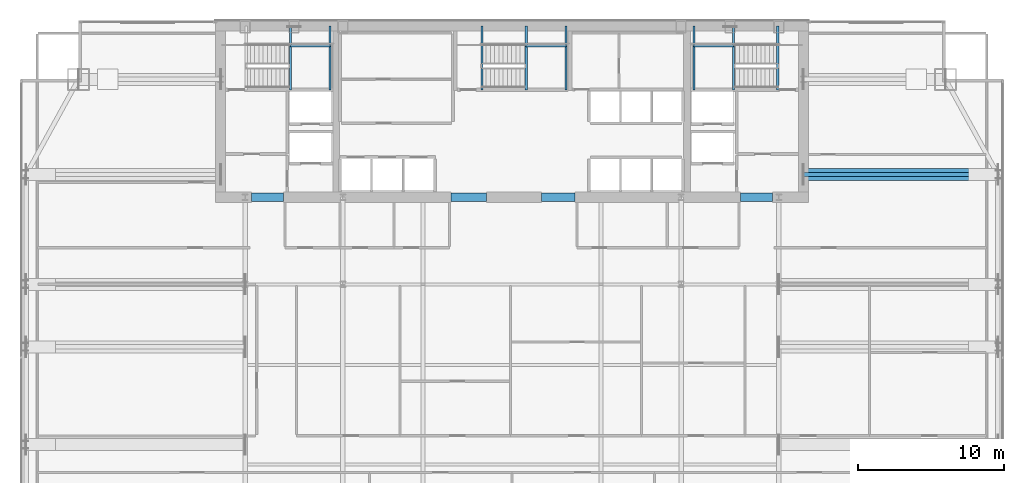
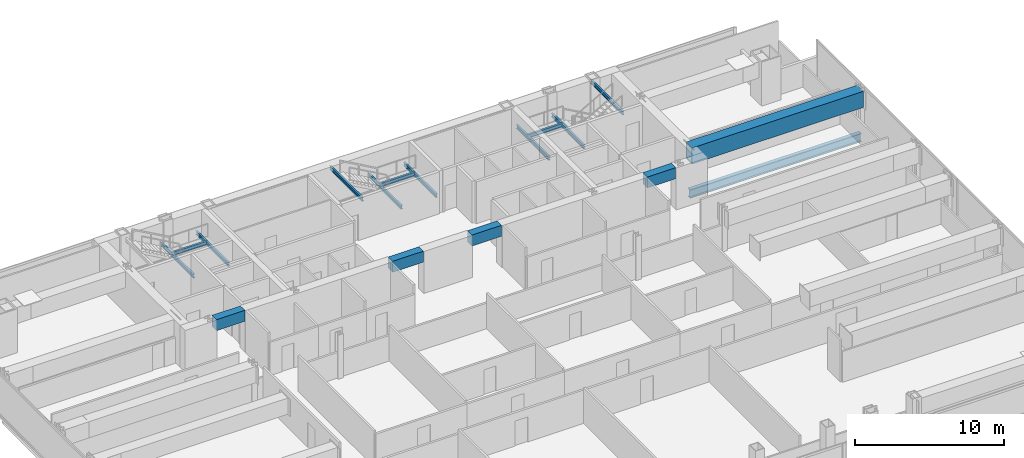
# One storey, part 17 of 30: 17 beams.
"""IFC4 building model written with IfcOpenShell, lengths in metres."""

from ifc_helpers import new_model, si_unit, direction, frame, origin, origin_2d, place, context, subcontext, project, spatial, rectangle, hollow_rectangle, i_section, extrude, material, material_profile, profile_set, type_object, element, save


model = new_model("IFC4")

# Units and contexts
model_context = context("Model", 3, precision=1e-05, world=origin(), true_north=direction((0.0, 1.0)))
body_context = subcontext(model_context, "Body", "Model", "MODEL_VIEW")
ifc_project = project(units=[si_unit("LENGTHUNIT", "METRE"), si_unit("AREAUNIT", "SQUARE_METRE"), si_unit("VOLUMEUNIT", "CUBIC_METRE"), si_unit("PLANEANGLEUNIT", "RADIAN"), si_unit("MASSUNIT", "GRAM", prefix="KILO")], contexts=[model_context])

# Site, building, storey
site_placement = place(None, origin())
site = spatial("IfcSite", under=ifc_project, at=site_placement, CompositionType="ELEMENT")
building_placement = place(site_placement, origin())
building = spatial("IfcBuilding", under=site, at=building_placement, Name="Khoronbel Lancet Exchange", CompositionType="ELEMENT")
storey_placement = place(building_placement, frame((0.0, 0.0, 132.60009765625)))
storey = spatial("IfcBuildingStorey", under=building, at=storey_placement, Name="L32", CompositionType="ELEMENT", Elevation=132.60009765625)

# Beams
ifc_material_1 = material(Name="Steel S355", Category="steel")
ifc_material_profile_1 = material_profile(ifc_material_1, i_section(OverallWidth=0.300048828125, OverallDepth=0.699951171875, WebThickness=0.01708984375, FlangeThickness=0.031982421875, at=origin_2d()), Name="HEB 700")
ifc_profile_set_1 = profile_set([ifc_material_profile_1], Name="Steel S355")
beam_type_1 = type_object("IfcBeamType", Name="BM-BG3", PredefinedType="BEAM", material=ifc_profile_set_1)
beam_1_placement = place(storey_placement, frame((56.35009765625, 43.199951171875, -0.510009765625), z_axis=(1.0, 0.0, 0.0), x_axis=(0.0, 1.0, 0.0)))
element("IfcBeam", 1, at=beam_1_placement, inside=storey, type_object=beam_type_1, Name="Level L32 east lens tie girder LG3E", PredefinedType="BEAM", context=body_context, shape_type="SweptSolid", body=[
    extrude(i_section(OverallWidth=0.300048828125, OverallDepth=0.699951171875, WebThickness=0.01708984375, FlangeThickness=0.031982421875, at=origin_2d()), origin(), (0.0, 0.0, 1.0), 13.27978515625),
])
ifc_material_profile_2 = material_profile(ifc_material_1, i_section(OverallWidth=0.14990234375, OverallDepth=0.300048828125, WebThickness=0.007080078125, FlangeThickness=0.0107421875, at=origin_2d()), Name="IPE 300")
ifc_profile_set_2 = profile_set([ifc_material_profile_2], Name="Steel S355")
beam_type_2 = type_object("IfcBeamType", Name="BM-BJ8", PredefinedType="JOIST", material=ifc_profile_set_2)
for number, where, z_axis, x_axis, name in (
    (2, (21.320068359375, 48.97998046875, 1.449951171875), (0.0, 1.0, 0.0), (-1.0, 0.0, 0.0), "Level L32 stair ST1 landing bearer beam 1"),
    (3, (24.030029296875, 48.97998046875, 1.449951171875), (0.0, 1.0, 0.0), (-1.0, 0.0, 0.0), "Level L32 stair ST1 rear landing bearer beam 1"),
):
    element("IfcBeam", number, at=place(storey_placement, frame(where, z_axis=z_axis, x_axis=x_axis)), inside=storey, type_object=beam_type_2, Name=name, PredefinedType="JOIST", context=body_context, shape_type="SweptSolid", body=[
        extrude(i_section(OverallWidth=0.14990234375, OverallDepth=0.300048828125, WebThickness=0.007080078125, FlangeThickness=0.0107421875, at=origin_2d()), origin(), (0.0, 0.0, 1.0), 4.3701171875),
    ])
beam_2_placement = place(storey_placement, frame((21.320068359375, 51.97998046875, 1.449951171875), z_axis=(1.0, 0.0, 0.0), x_axis=(0.0, 1.0, 0.0)))
element("IfcBeam", 4, at=beam_2_placement, inside=storey, type_object=beam_type_2, Name="Level L32 stair ST1 landing cross trimmer beam 1", PredefinedType="JOIST", context=body_context, shape_type="SweptSolid", body=[
    extrude(i_section(OverallWidth=0.14990234375, OverallDepth=0.300048828125, WebThickness=0.007080078125, FlangeThickness=0.0107421875, at=origin_2d()), origin(), (0.0, 0.0, 1.0), 2.7099609375),
])
for number, where, z_axis, x_axis, name in (
    (5, (51.580078125, 48.97998046875, 1.449951171875), (0.0, 1.0, 0.0), (-1.0, 0.0, 0.0), "Level L32 stair ST2 landing bearer beam 1"),
    (6, (48.8701171875, 48.97998046875, 1.449951171875), (0.0, 1.0, 0.0), (-1.0, 0.0, 0.0), "Level L32 stair ST2 rear landing bearer beam 1"),
):
    element("IfcBeam", number, at=place(storey_placement, frame(where, z_axis=z_axis, x_axis=x_axis)), inside=storey, type_object=beam_type_2, Name=name, PredefinedType="JOIST", context=body_context, shape_type="SweptSolid", body=[
        extrude(i_section(OverallWidth=0.14990234375, OverallDepth=0.300048828125, WebThickness=0.007080078125, FlangeThickness=0.0107421875, at=origin_2d()), origin(), (0.0, 0.0, 1.0), 4.3701171875),
    ])
beam_3_placement = place(storey_placement, frame((48.8701171875, 51.97998046875, 1.449951171875), z_axis=(1.0, 0.0, 0.0), x_axis=(0.0, 1.0, 0.0)))
element("IfcBeam", 7, at=beam_3_placement, inside=storey, type_object=beam_type_2, Name="Level L32 stair ST2 landing cross trimmer beam 1", PredefinedType="JOIST", context=body_context, shape_type="SweptSolid", body=[
    extrude(i_section(OverallWidth=0.14990234375, OverallDepth=0.300048828125, WebThickness=0.007080078125, FlangeThickness=0.0107421875, at=origin_2d()), origin(), (0.0, 0.0, 1.0), 2.7099609375),
])
for number, where, z_axis, x_axis, name in (
    (8, (54.60009765625, 48.97998046875, 3.159912109375), (0.0, 1.0, 0.0), (-1.0, 0.0, 0.0), "Level L32 stair ST2 upper-flight arrival trimmer beam"),
    (9, (37.419921875, 48.97998046875, 1.449951171875), (0.0, 1.0, 0.0), (-1.0, 0.0, 0.0), "Level L32 stair ST3 landing bearer beam 1"),
    (10, (40.1298828125, 48.97998046875, 1.449951171875), (0.0, 1.0, 0.0), (-1.0, 0.0, 0.0), "Level L32 stair ST3 rear landing bearer beam 1"),
):
    element("IfcBeam", number, at=place(storey_placement, frame(where, z_axis=z_axis, x_axis=x_axis)), inside=storey, type_object=beam_type_2, Name=name, PredefinedType="JOIST", context=body_context, shape_type="SweptSolid", body=[
        extrude(i_section(OverallWidth=0.14990234375, OverallDepth=0.300048828125, WebThickness=0.007080078125, FlangeThickness=0.0107421875, at=origin_2d()), origin(), (0.0, 0.0, 1.0), 4.3701171875),
    ])
beam_4_placement = place(storey_placement, frame((37.419921875, 51.97998046875, 1.449951171875), z_axis=(1.0, 0.0, 0.0), x_axis=(0.0, 1.0, 0.0)))
element("IfcBeam", 11, at=beam_4_placement, inside=storey, type_object=beam_type_2, Name="Level L32 stair ST3 landing cross trimmer beam 1", PredefinedType="JOIST", context=body_context, shape_type="SweptSolid", body=[
    extrude(i_section(OverallWidth=0.14990234375, OverallDepth=0.300048828125, WebThickness=0.007080078125, FlangeThickness=0.0107421875, at=origin_2d()), origin(), (0.0, 0.0, 1.0), 2.7099609375),
])
beam_5_placement = place(storey_placement, frame((34.39990234375, 48.97998046875, 3.159912109375), z_axis=(0.0, 1.0, 0.0), x_axis=(-1.0, 0.0, 0.0)))
element("IfcBeam", 12, at=beam_5_placement, inside=storey, type_object=beam_type_2, Name="Level L32 stair ST3 upper-flight arrival trimmer beam", PredefinedType="JOIST", context=body_context, shape_type="SweptSolid", body=[
    extrude(i_section(OverallWidth=0.14990234375, OverallDepth=0.300048828125, WebThickness=0.007080078125, FlangeThickness=0.0107421875, at=origin_2d()), origin(), (0.0, 0.0, 1.0), 4.3701171875),
])
ifc_material_2 = material(Name="Concrete C80/95", Category="concrete")
ifc_material_profile_3 = material_profile(ifc_material_2, rectangle(XDim=0.60009765625, YDim=0.89990234375, at=origin_2d()), Name="RC 600x900")
ifc_profile_set_3 = profile_set([ifc_material_profile_3], Name="Concrete C80/95")
beam_type_3 = type_object("IfcBeamType", Name="BM-BL1", PredefinedType="LINTEL", material=ifc_profile_set_3)
beam_6_placement = place(storey_placement, frame((18.64990234375, 41.64990234375, 2.989990234375), z_axis=(1.0, 0.0, 0.0), x_axis=(0.0, 1.0, 0.0)))
element("IfcBeam", 13, at=beam_6_placement, inside=storey, type_object=beam_type_3, Name="Level L32 rear core coupling lintel L1", PredefinedType="LINTEL", context=body_context, shape_type="SweptSolid", body=[
    extrude(rectangle(XDim=0.60009765625, YDim=0.89990234375, at=origin_2d()), origin(), (0.0, 0.0, 1.0), 2.2001953125),
])
beam_7_placement = place(storey_placement, frame((32.300048828125, 41.64990234375, 2.989990234375), z_axis=(1.0, 0.0, 0.0), x_axis=(0.0, 1.0, 0.0)))
element("IfcBeam", 14, at=beam_7_placement, inside=storey, type_object=beam_type_3, Name="Level L32 rear core coupling lintel L2", PredefinedType="LINTEL", context=body_context, shape_type="SweptSolid", body=[
    extrude(rectangle(XDim=0.60009765625, YDim=0.89990234375, at=origin_2d()), origin(), (0.0, 0.0, 1.0), 2.39990234375),
])
beam_8_placement = place(storey_placement, frame((38.449951171875, 41.64990234375, 2.989990234375), z_axis=(1.0, 0.0, 0.0), x_axis=(0.0, 1.0, 0.0)))
element("IfcBeam", 15, at=beam_8_placement, inside=storey, type_object=beam_type_3, Name="Level L32 rear core coupling lintel L3", PredefinedType="LINTEL", context=body_context, shape_type="SweptSolid", body=[
    extrude(rectangle(XDim=0.60009765625, YDim=0.89990234375, at=origin_2d()), origin(), (0.0, 0.0, 1.0), 2.300048828125),
])
beam_9_placement = place(storey_placement, frame((52.050048828125, 41.64990234375, 2.989990234375), z_axis=(1.0, 0.0, 0.0), x_axis=(0.0, 1.0, 0.0)))
element("IfcBeam", 16, at=beam_9_placement, inside=storey, type_object=beam_type_3, Name="Level L32 rear core coupling lintel L4", PredefinedType="LINTEL", context=body_context, shape_type="SweptSolid", body=[
    extrude(rectangle(XDim=0.60009765625, YDim=0.89990234375, at=origin_2d()), origin(), (0.0, 0.0, 1.0), 2.199951171875),
])
ifc_material_3 = material(Name="Steel S460", Category="steel")
ifc_material_profile_4 = material_profile(ifc_material_3, hollow_rectangle(XDim=0.820068359375, YDim=1.320068359375, WallThickness=0.070068359375, at=origin_2d()), Name="BOX 820x1320x70")
ifc_profile_set_4 = profile_set([ifc_material_profile_4], Name="Steel S460")
beam_type_4 = type_object("IfcBeamType", Name="BM-TG4", PredefinedType="USERDEFINED", material=ifc_profile_set_4)
beam_10_placement = place(storey_placement, frame((56.35009765625, 43.199951171875, 2.77978515625), z_axis=(1.0, 0.0, 0.0), x_axis=(0.0, 1.0, 0.0)))
element("IfcBeam", 17, at=beam_10_placement, inside=storey, type_object=beam_type_4, Name="Lens setback S460 transfer girder L32-E5", ObjectType="TRANSFER GIRDER", PredefinedType="USERDEFINED", context=body_context, shape_type="SweptSolid", body=[
    extrude(hollow_rectangle(XDim=0.820068359375, YDim=1.320068359375, WallThickness=0.070068359375, at=origin_2d()), origin(), (0.0, 0.0, 1.0), 13.27978515625),
])

save(model, "model.ifc")
